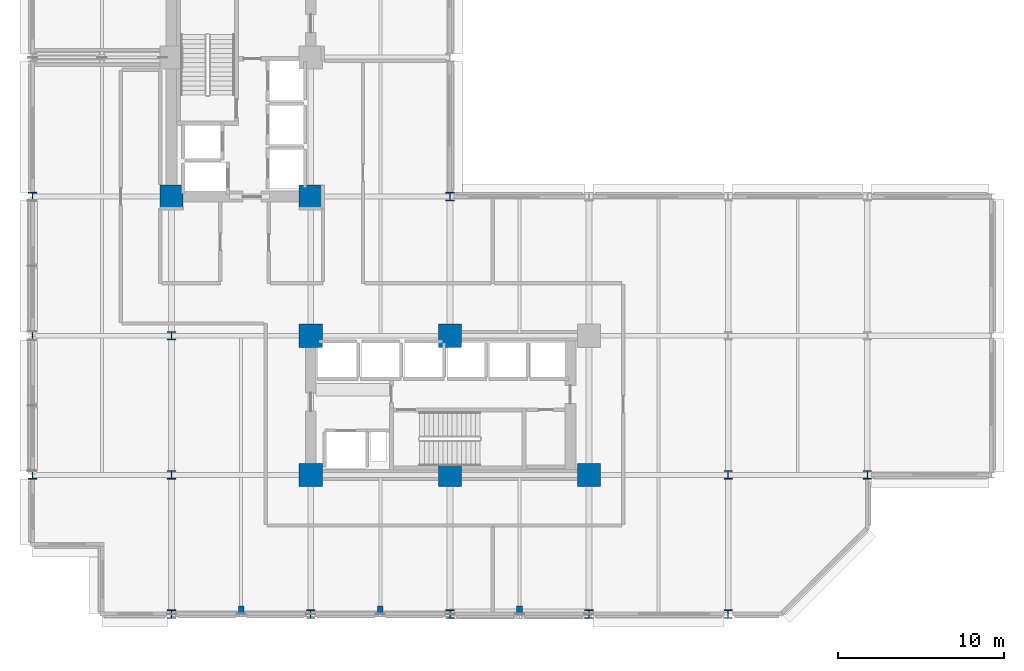
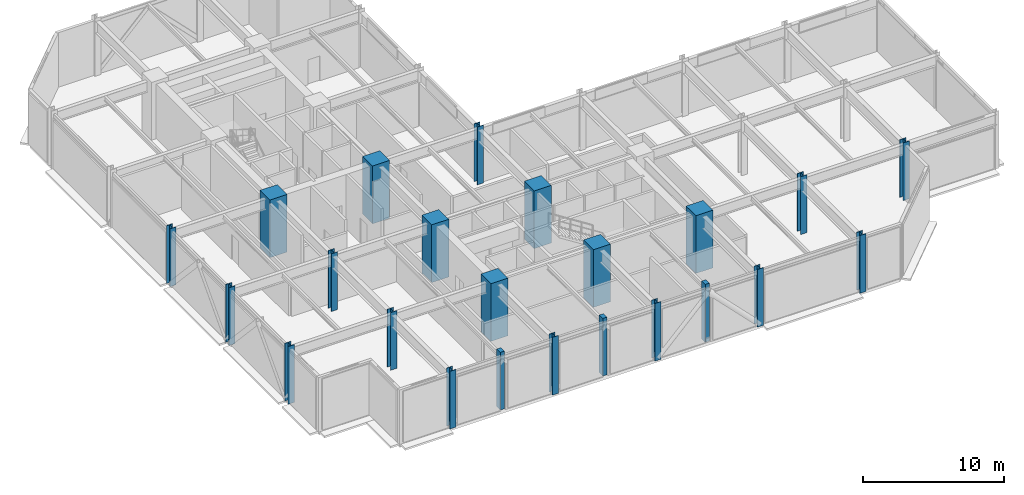
# One storey, part 1 of 13: 23 columns.
"""IFC4 building model written with IfcOpenShell, lengths in metres."""

from ifc_helpers import new_model, si_unit, direction, frame, origin, origin_2d, place, context, subcontext, project, spatial, rectangle, i_section, extrude, material, material_profile, profile_set, type_object, element, save


model = new_model("IFC4")

# Units and contexts
model_context = context("Model", 3, precision=1e-05, world=origin(), true_north=direction((0.0, 1.0)))
body_context = subcontext(model_context, "Body", "Model", "MODEL_VIEW")
ifc_project = project(units=[si_unit("LENGTHUNIT", "METRE"), si_unit("AREAUNIT", "SQUARE_METRE"), si_unit("VOLUMEUNIT", "CUBIC_METRE"), si_unit("PLANEANGLEUNIT", "RADIAN"), si_unit("MASSUNIT", "GRAM", prefix="KILO")], contexts=[model_context])

# Site, building, storey
site_placement = place(None, origin())
site = spatial("IfcSite", under=ifc_project, at=site_placement, CompositionType="ELEMENT")
building_placement = place(site_placement, origin())
building = spatial("IfcBuilding", under=site, at=building_placement, Name="Nerrivon Quay Data Exchange", CompositionType="ELEMENT")
storey_placement = place(building_placement, frame((0.0, 0.0, 79.39990234375)))
storey = spatial("IfcBuildingStorey", under=building, at=storey_placement, Name="L18", CompositionType="ELEMENT", Elevation=79.39990234375)

# Columns
ifc_material_1 = material(Name="Concrete N80 (80 MPa)", Category="concrete")
ifc_material_profile_1 = material_profile(ifc_material_1, rectangle(XDim=1.39990234375, YDim=1.39990234375, at=origin_2d()), Name="RC-COL-1400x1400")
ifc_profile_set_1 = profile_set([ifc_material_profile_1], Name="Concrete N80 (80 MPa)")
column_type_1 = type_object("IfcColumnType", Name="COL-C2-1400", PredefinedType="COLUMN", material=ifc_profile_set_1)
for number, where, z_axis, x_axis, name in (
    (1, (8.39990234375, 25.199951171875, 0.0), (0.0, 0.0, 1.0), (1.0, 0.0, 0.0), "L18 Column (8.4,25.2)"),
    (2, (16.800048828125, 8.39990234375, 0.0), (0.0, 0.0, 1.0), (1.0, 0.0, 0.0), "L18 Column (16.8,8.4)"),
    (3, (16.800048828125, 16.800048828125, 0.0), (0.0, 0.0, 1.0), (1.0, 0.0, 0.0), "L18 Column (16.8,16.8)"),
    (4, (16.800048828125, 25.199951171875, 0.0), (0.0, 0.0, 1.0), (1.0, 0.0, 0.0), "L18 Column (16.8,25.2)"),
    (5, (25.199951171875, 8.39990234375, 0.0), (0.0, 0.0, 1.0), (1.0, 0.0, 0.0), "L18 Column (25.2,8.4)"),
    (6, (25.199951171875, 16.800048828125, 0.0), (0.0, 0.0, 1.0), (1.0, 0.0, 0.0), "L18 Column (25.2,16.8)"),
    (7, (33.60009765625, 8.39990234375, 0.0), (0.0, 0.0, 1.0), (1.0, 0.0, 0.0), "L18 Column (33.6,8.4)"),
):
    element("IfcColumn", number, at=place(storey_placement, frame(where, z_axis=z_axis, x_axis=x_axis)), inside=storey, type_object=column_type_1, Name=name, PredefinedType="COLUMN", context=body_context, shape_type="SweptSolid", body=[
        extrude(rectangle(XDim=1.39990234375, YDim=1.39990234375, at=origin_2d()), origin(), (0.0, 0.0, 1.0), 5.0),
    ])
ifc_material_2 = material(Name="Steel Grade 350", Category="steel")
ifc_material_profile_2 = material_profile(ifc_material_2, i_section(OverallWidth=0.5, OverallDepth=0.5, WebThickness=0.028076171875, FlangeThickness=0.0400390625, at=origin_2d()), Name="500WC440")
ifc_profile_set_2 = profile_set([ifc_material_profile_2], Name="Steel Grade 350")
column_type_2 = type_object("IfcColumnType", Name="COL-SC1-500WC", PredefinedType="COLUMN", material=ifc_profile_set_2)
for number, where, z_axis, x_axis, name in (
    (8, (0.0, 8.39990234375, 0.0), (0.0, 0.0, 1.0), (1.0, 0.0, 0.0), "L18 Column (0.0,8.4)"),
    (9, (0.0, 16.800048828125, 0.0), (0.0, 0.0, 1.0), (1.0, 0.0, 0.0), "L18 Column (0.0,16.8)"),
    (10, (0.0, 25.199951171875, 0.0), (0.0, 0.0, 1.0), (1.0, 0.0, 0.0), "L18 Column (0.0,25.2)"),
    (11, (8.39990234375, 0.0, 0.0), (0.0, 0.0, 1.0), (1.0, 0.0, 0.0), "L18 Column (8.4,0.0)"),
    (12, (8.39990234375, 8.39990234375, 0.0), (0.0, 0.0, 1.0), (1.0, 0.0, 0.0), "L18 Column (8.4,8.4)"),
    (13, (8.39990234375, 16.800048828125, 0.0), (0.0, 0.0, 1.0), (1.0, 0.0, 0.0), "L18 Column (8.4,16.8)"),
    (14, (16.800048828125, 0.0, 0.0), (0.0, 0.0, 1.0), (1.0, 0.0, 0.0), "L18 Column (16.8,0.0)"),
    (15, (25.199951171875, 0.0, 0.0), (0.0, 0.0, 1.0), (1.0, 0.0, 0.0), "L18 Column (25.2,0.0)"),
    (16, (25.199951171875, 25.199951171875, 0.0), (0.0, 0.0, 1.0), (1.0, 0.0, 0.0), "L18 Column (25.2,25.2)"),
    (17, (33.60009765625, 0.0, 0.0), (0.0, 0.0, 1.0), (1.0, 0.0, 0.0), "L18 Column (33.6,0.0)"),
    (18, (42.0, 0.0, 0.0), (0.0, 0.0, 1.0), (1.0, 0.0, 0.0), "L18 Column (42.0,0.0)"),
    (19, (42.0, 8.39990234375, 0.0), (0.0, 0.0, 1.0), (1.0, 0.0, 0.0), "L18 Column (42.0,8.4)"),
    (20, (50.39990234375, 8.39990234375, 0.0), (0.0, 0.0, 1.0), (1.0, 0.0, 0.0), "L18 Column (50.4,8.4)"),
):
    element("IfcColumn", number, at=place(storey_placement, frame(where, z_axis=z_axis, x_axis=x_axis)), inside=storey, type_object=column_type_2, Name=name, PredefinedType="COLUMN", context=body_context, shape_type="SweptSolid", body=[
        extrude(i_section(OverallWidth=0.5, OverallDepth=0.5, WebThickness=0.028076171875, FlangeThickness=0.0400390625, at=origin_2d()), origin(), (0.0, 0.0, 1.0), 5.0),
    ])
ifc_material_3 = material(Name="Concrete N50 (50 MPa)", Category="concrete")
ifc_material_profile_3 = material_profile(ifc_material_3, rectangle(XDim=0.35009765625, YDim=0.5, at=origin_2d()), Name="RC-PIL-500x350")
ifc_profile_set_3 = profile_set([ifc_material_profile_3], Name="Concrete N50 (50 MPa)")
column_type_3 = type_object("IfcColumnType", Name="PIL-P2-500x350", PredefinedType="PILASTER", material=ifc_profile_set_3)
for number, where, z_axis, x_axis, name in (
    (21, (12.60009765625, 0.25, 0.0), (0.0, 0.0, 1.0), (1.0, 0.0, 0.0), "L18 Facade Pilaster (12.6)"),
    (22, (21.0, 0.25, 0.0), (0.0, 0.0, 1.0), (1.0, 0.0, 0.0), "L18 Facade Pilaster (21.0)"),
    (23, (29.39990234375, 0.25, 0.0), (0.0, 0.0, 1.0), (1.0, 0.0, 0.0), "L18 Facade Pilaster (29.4)"),
):
    element("IfcColumn", number, at=place(storey_placement, frame(where, z_axis=z_axis, x_axis=x_axis)), inside=storey, type_object=column_type_3, Name=name, PredefinedType="PILASTER", context=body_context, shape_type="SweptSolid", body=[
        extrude(rectangle(XDim=0.35009765625, YDim=0.5, at=origin_2d()), origin(), (0.0, 0.0, 1.0), 5.0),
    ])

save(model, "model.ifc")
